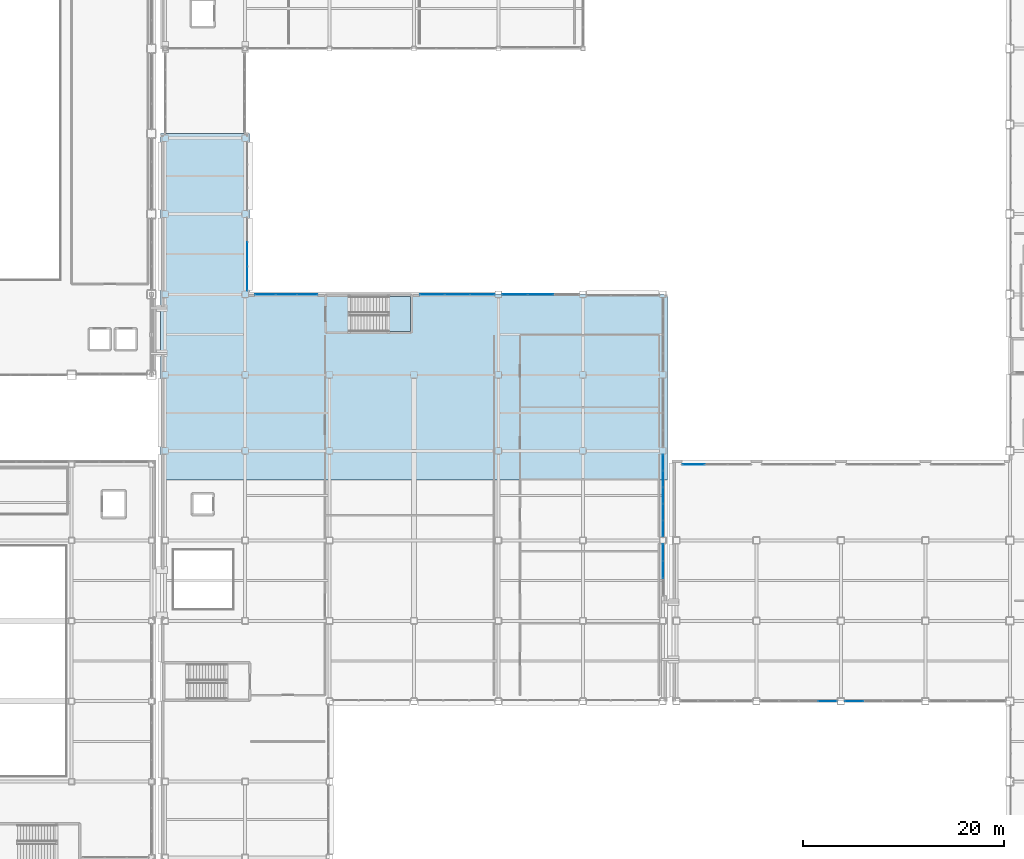
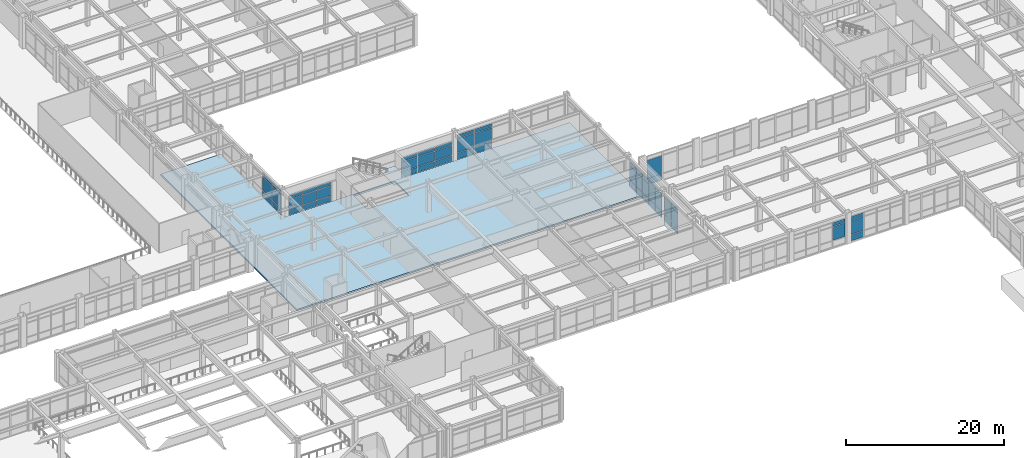
# One storey, part 128 of 172: 58 plates, 2 slabs, 10 elements without a shape of their own.
"""IFC4 building model written with IfcOpenShell, lengths in metres."""

from ifc_helpers import new_model, si_unit, direction, frame, origin, origin_2d, place, context, subcontext, project, spatial, polyline, rectangle, outline, extrude, material, layer, layer_set, type_object, element, aggregate, save


model = new_model("IFC4")

# Units and contexts
model_context = context("Model", 3, precision=1e-05, world=origin(), true_north=direction((0.0, 1.0)))
body_context = subcontext(model_context, "Body", "Model", "MODEL_VIEW")
ifc_project = project(units=[si_unit("LENGTHUNIT", "METRE"), si_unit("AREAUNIT", "SQUARE_METRE"), si_unit("VOLUMEUNIT", "CUBIC_METRE"), si_unit("PLANEANGLEUNIT", "RADIAN"), si_unit("MASSUNIT", "GRAM", prefix="KILO")], contexts=[model_context])

# Site, building, storey
site_placement = place(None, origin())
site = spatial("IfcSite", under=ifc_project, at=site_placement, CompositionType="ELEMENT")
building_placement = place(site_placement, origin())
building = spatial("IfcBuilding", under=site, at=building_placement, Name="Kazehara Bluff Congress Hotel", CompositionType="ELEMENT")
storey_placement = place(building_placement, frame((0.0, 0.0, 5.39990234375)))
storey = spatial("IfcBuildingStorey", under=building, at=storey_placement, Name="L01", CompositionType="ELEMENT", Elevation=5.39990234375)

# Curtain wall, plates
ifc_material_1 = material(Name="Anodised aluminium", Category="aluminium")
ifc_layer_1 = layer(ifc_material_1, 0.159912109375)
ifc_layer_set_1 = layer_set([ifc_layer_1], Name="Anodised aluminium")
curtain_wall_type_1 = type_object("IfcCurtainWallType", Name="TP-CW-53", PredefinedType="NOTDEFINED", material=ifc_layer_set_1)
curtain_wall_1_placement = place(storey_placement, origin())
curtain_wall_1 = element("IfcCurtainWall", 1, at=curtain_wall_1_placement, inside=storey, type_object=curtain_wall_type_1, Name="L01 curtain wall CW-53 CW-V4-L01-X10920-2650", PredefinedType="NOTDEFINED")
ifc_material_2 = material(Name="Insulated low-E double glazing", Category="glass")
ifc_layer_2 = layer(ifc_material_2, 0.028076171875)
ifc_layer_set_2 = layer_set([ifc_layer_2], Name="Insulated low-E double glazing")
plate_type_1 = type_object("IfcPlateType", Name="TP-CWP-01", PredefinedType="CURTAIN_PANEL", material=ifc_layer_set_2)
plate_1_placement = place(storey_placement, frame((109.199951171875, 29.08740234375, 0.06005859375), z_axis=(0.0, 0.0, 1.0), x_axis=(0.0, 1.0, 0.0)))
plate_1 = element("IfcPlate", 2, at=plate_1_placement, type_object=plate_type_1, Name="CW-53 panel 2.1", PredefinedType="CURTAIN_PANEL", context=body_context, shape_type="SweptSolid", body=[
    extrude(rectangle(XDim=1.6650390625, YDim=0.028076171875, at=origin_2d()), origin(), (0.0, 0.0, 1.0), 0.9599609375),
])
plate_2_placement = place(storey_placement, frame((109.199951171875, 29.08740234375, 1.080078125), z_axis=(0.0, 0.0, 1.0), x_axis=(0.0, 1.0, 0.0)))
plate_2 = element("IfcPlate", 3, at=plate_2_placement, type_object=plate_type_1, Name="CW-53 panel 2.2", PredefinedType="CURTAIN_PANEL", context=body_context, shape_type="SweptSolid", body=[
    extrude(rectangle(XDim=1.6650390625, YDim=0.028076171875, at=origin_2d()), origin(), (0.0, 0.0, 1.0), 2.114990234375),
])
plate_3_placement = place(storey_placement, frame((109.199951171875, 29.08740234375, 3.255126953125), z_axis=(0.0, 0.0, 1.0), x_axis=(0.0, 1.0, 0.0)))
plate_3 = element("IfcPlate", 4, at=plate_3_placement, type_object=plate_type_1, Name="CW-53 panel 2.3", PredefinedType="CURTAIN_PANEL", context=body_context, shape_type="SweptSolid", body=[
    extrude(rectangle(XDim=1.6650390625, YDim=0.028076171875, at=origin_2d()), origin(), (0.0, 0.0, 1.0), 0.56005859375),
])
plate_4_placement = place(storey_placement, frame((109.199951171875, 30.797607421875, 0.06005859375), z_axis=(0.0, 0.0, 1.0), x_axis=(0.0, 1.0, 0.0)))
plate_4 = element("IfcPlate", 5, at=plate_4_placement, type_object=plate_type_1, Name="CW-53 panel 3.1", PredefinedType="CURTAIN_PANEL", context=body_context, shape_type="SweptSolid", body=[
    extrude(rectangle(XDim=1.635009765625, YDim=0.028076171875, at=origin_2d()), origin(), (0.0, 0.0, 1.0), 0.9599609375),
])
plate_5_placement = place(storey_placement, frame((109.199951171875, 30.797607421875, 1.080078125), z_axis=(0.0, 0.0, 1.0), x_axis=(0.0, 1.0, 0.0)))
plate_5 = element("IfcPlate", 6, at=plate_5_placement, type_object=plate_type_1, Name="CW-53 panel 3.2", PredefinedType="CURTAIN_PANEL", context=body_context, shape_type="SweptSolid", body=[
    extrude(rectangle(XDim=1.635009765625, YDim=0.028076171875, at=origin_2d()), origin(), (0.0, 0.0, 1.0), 2.114990234375),
])
plate_6_placement = place(storey_placement, frame((109.199951171875, 30.797607421875, 3.255126953125), z_axis=(0.0, 0.0, 1.0), x_axis=(0.0, 1.0, 0.0)))
plate_6 = element("IfcPlate", 7, at=plate_6_placement, type_object=plate_type_1, Name="CW-53 panel 3.3", PredefinedType="CURTAIN_PANEL", context=body_context, shape_type="SweptSolid", body=[
    extrude(rectangle(XDim=1.635009765625, YDim=0.028076171875, at=origin_2d()), origin(), (0.0, 0.0, 1.0), 0.56005859375),
])
aggregate(curtain_wall_1, [plate_1, plate_2, plate_3, plate_4, plate_5, plate_6])

ifc_material_3 = material(Name="Anodised aluminium", Category="aluminium")
ifc_layer_3 = layer(ifc_material_3, 0.159912109375)
ifc_layer_set_3 = layer_set([ifc_layer_3], Name="Anodised aluminium")
curtain_wall_type_2 = type_object("IfcCurtainWallType", Name="TP-CW-54", PredefinedType="NOTDEFINED", material=ifc_layer_set_3)
curtain_wall_2_placement = place(storey_placement, origin())
curtain_wall_2 = element("IfcCurtainWall", 8, at=curtain_wall_2_placement, inside=storey, type_object=curtain_wall_type_2, Name="L01 curtain wall CW-54 CW-V4-L01-X10920-3233", PredefinedType="NOTDEFINED")
plate_7_placement = place(storey_placement, frame((109.199951171875, 33.166259765625, 0.06494140625), z_axis=(0.0, 0.0, 1.0), x_axis=(0.0, 1.0, 0.0)))
plate_7 = element("IfcPlate", 9, at=plate_7_placement, type_object=plate_type_1, Name="CW-54 panel 1.1", PredefinedType="CURTAIN_PANEL", context=body_context, shape_type="SweptSolid", body=[
    extrude(rectangle(XDim=1.552490234375, YDim=0.028076171875, at=origin_2d()), origin(), (0.0, 0.0, 1.0), 0.952392578125),
])
plate_8_placement = place(storey_placement, frame((109.199951171875, 33.166259765625, 1.08251953125), z_axis=(0.0, 0.0, 1.0), x_axis=(0.0, 1.0, 0.0)))
plate_8 = element("IfcPlate", 10, at=plate_8_placement, type_object=plate_type_1, Name="CW-54 panel 1.2", PredefinedType="CURTAIN_PANEL", context=body_context, shape_type="SweptSolid", body=[
    extrude(rectangle(XDim=1.552490234375, YDim=0.028076171875, at=origin_2d()), origin(), (0.0, 0.0, 1.0), 2.110107421875),
])
plate_9_placement = place(storey_placement, frame((109.199951171875, 33.166259765625, 3.2578125), z_axis=(0.0, 0.0, 1.0), x_axis=(0.0, 1.0, 0.0)))
plate_9 = element("IfcPlate", 11, at=plate_9_placement, type_object=plate_type_1, Name="CW-54 panel 1.3", PredefinedType="CURTAIN_PANEL", context=body_context, shape_type="SweptSolid", body=[
    extrude(rectangle(XDim=1.552490234375, YDim=0.028076171875, at=origin_2d()), origin(), (0.0, 0.0, 1.0), 0.552490234375),
])
plate_10_placement = place(storey_placement, frame((109.199951171875, 34.800048828125, 0.06494140625), z_axis=(0.0, 0.0, 1.0), x_axis=(0.0, 1.0, 0.0)))
plate_10 = element("IfcPlate", 12, at=plate_10_placement, type_object=plate_type_1, Name="CW-54 panel 2.1", PredefinedType="CURTAIN_PANEL", context=body_context, shape_type="SweptSolid", body=[
    extrude(rectangle(XDim=1.5849609375, YDim=0.028076171875, at=origin_2d()), origin(), (0.0, 0.0, 1.0), 0.952392578125),
])
plate_11_placement = place(storey_placement, frame((109.199951171875, 34.800048828125, 1.08251953125), z_axis=(0.0, 0.0, 1.0), x_axis=(0.0, 1.0, 0.0)))
plate_11 = element("IfcPlate", 13, at=plate_11_placement, type_object=plate_type_1, Name="CW-54 panel 2.2", PredefinedType="CURTAIN_PANEL", context=body_context, shape_type="SweptSolid", body=[
    extrude(rectangle(XDim=1.5849609375, YDim=0.028076171875, at=origin_2d()), origin(), (0.0, 0.0, 1.0), 2.110107421875),
])
plate_12_placement = place(storey_placement, frame((109.199951171875, 34.800048828125, 3.2578125), z_axis=(0.0, 0.0, 1.0), x_axis=(0.0, 1.0, 0.0)))
plate_12 = element("IfcPlate", 14, at=plate_12_placement, type_object=plate_type_1, Name="CW-54 panel 2.3", PredefinedType="CURTAIN_PANEL", context=body_context, shape_type="SweptSolid", body=[
    extrude(rectangle(XDim=1.5849609375, YDim=0.028076171875, at=origin_2d()), origin(), (0.0, 0.0, 1.0), 0.552490234375),
])
plate_13_placement = place(storey_placement, frame((109.199951171875, 36.449951171875, 0.06494140625), z_axis=(0.0, 0.0, 1.0), x_axis=(0.0, 1.0, 0.0)))
plate_13 = element("IfcPlate", 15, at=plate_13_placement, type_object=plate_type_1, Name="CW-54 panel 3.1", PredefinedType="CURTAIN_PANEL", context=body_context, shape_type="SweptSolid", body=[
    extrude(rectangle(XDim=1.5849609375, YDim=0.028076171875, at=origin_2d()), origin(), (0.0, 0.0, 1.0), 0.952392578125),
])
plate_14_placement = place(storey_placement, frame((109.199951171875, 36.449951171875, 1.08251953125), z_axis=(0.0, 0.0, 1.0), x_axis=(0.0, 1.0, 0.0)))
plate_14 = element("IfcPlate", 16, at=plate_14_placement, type_object=plate_type_1, Name="CW-54 panel 3.2", PredefinedType="CURTAIN_PANEL", context=body_context, shape_type="SweptSolid", body=[
    extrude(rectangle(XDim=1.5849609375, YDim=0.028076171875, at=origin_2d()), origin(), (0.0, 0.0, 1.0), 2.110107421875),
])
plate_15_placement = place(storey_placement, frame((109.199951171875, 36.449951171875, 3.2578125), z_axis=(0.0, 0.0, 1.0), x_axis=(0.0, 1.0, 0.0)))
plate_15 = element("IfcPlate", 17, at=plate_15_placement, type_object=plate_type_1, Name="CW-54 panel 3.3", PredefinedType="CURTAIN_PANEL", context=body_context, shape_type="SweptSolid", body=[
    extrude(rectangle(XDim=1.5849609375, YDim=0.028076171875, at=origin_2d()), origin(), (0.0, 0.0, 1.0), 0.552490234375),
])
plate_16_placement = place(storey_placement, frame((109.199951171875, 38.10009765625, 0.06494140625), z_axis=(0.0, 0.0, 1.0), x_axis=(0.0, 1.0, 0.0)))
plate_16 = element("IfcPlate", 18, at=plate_16_placement, type_object=plate_type_1, Name="CW-54 panel 4.1", PredefinedType="CURTAIN_PANEL", context=body_context, shape_type="SweptSolid", body=[
    extrude(rectangle(XDim=1.5849609375, YDim=0.028076171875, at=origin_2d()), origin(), (0.0, 0.0, 1.0), 0.952392578125),
])
plate_17_placement = place(storey_placement, frame((109.199951171875, 38.10009765625, 1.08251953125), z_axis=(0.0, 0.0, 1.0), x_axis=(0.0, 1.0, 0.0)))
plate_17 = element("IfcPlate", 19, at=plate_17_placement, type_object=plate_type_1, Name="CW-54 panel 4.2", PredefinedType="CURTAIN_PANEL", context=body_context, shape_type="SweptSolid", body=[
    extrude(rectangle(XDim=1.5849609375, YDim=0.028076171875, at=origin_2d()), origin(), (0.0, 0.0, 1.0), 2.110107421875),
])
plate_18_placement = place(storey_placement, frame((109.199951171875, 38.10009765625, 3.2578125), z_axis=(0.0, 0.0, 1.0), x_axis=(0.0, 1.0, 0.0)))
plate_18 = element("IfcPlate", 20, at=plate_18_placement, type_object=plate_type_1, Name="CW-54 panel 4.3", PredefinedType="CURTAIN_PANEL", context=body_context, shape_type="SweptSolid", body=[
    extrude(rectangle(XDim=1.5849609375, YDim=0.028076171875, at=origin_2d()), origin(), (0.0, 0.0, 1.0), 0.552490234375),
])
plate_19_placement = place(storey_placement, frame((109.199951171875, 39.733642578125, 0.06494140625), z_axis=(0.0, 0.0, 1.0), x_axis=(0.0, 1.0, 0.0)))
plate_19 = element("IfcPlate", 21, at=plate_19_placement, type_object=plate_type_1, Name="CW-54 panel 5.1", PredefinedType="CURTAIN_PANEL", context=body_context, shape_type="SweptSolid", body=[
    extrude(rectangle(XDim=1.552490234375, YDim=0.028076171875, at=origin_2d()), origin(), (0.0, 0.0, 1.0), 0.952392578125),
])
plate_20_placement = place(storey_placement, frame((109.199951171875, 39.733642578125, 1.08251953125), z_axis=(0.0, 0.0, 1.0), x_axis=(0.0, 1.0, 0.0)))
plate_20 = element("IfcPlate", 22, at=plate_20_placement, type_object=plate_type_1, Name="CW-54 panel 5.2", PredefinedType="CURTAIN_PANEL", context=body_context, shape_type="SweptSolid", body=[
    extrude(rectangle(XDim=1.552490234375, YDim=0.028076171875, at=origin_2d()), origin(), (0.0, 0.0, 1.0), 2.110107421875),
])
plate_21_placement = place(storey_placement, frame((109.199951171875, 39.733642578125, 3.2578125), z_axis=(0.0, 0.0, 1.0), x_axis=(0.0, 1.0, 0.0)))
plate_21 = element("IfcPlate", 23, at=plate_21_placement, type_object=plate_type_1, Name="CW-54 panel 5.3", PredefinedType="CURTAIN_PANEL", context=body_context, shape_type="SweptSolid", body=[
    extrude(rectangle(XDim=1.552490234375, YDim=0.028076171875, at=origin_2d()), origin(), (0.0, 0.0, 1.0), 0.552490234375),
])
aggregate(curtain_wall_2, [plate_7, plate_8, plate_9, plate_10, plate_11, plate_12, plate_13, plate_14, plate_15, plate_16, plate_17, plate_18, plate_19, plate_20, plate_21])

ifc_material_4 = material(Name="Anodised aluminium", Category="aluminium")
ifc_layer_4 = layer(ifc_material_4, 0.159912109375)
ifc_layer_set_4 = layer_set([ifc_layer_4], Name="Anodised aluminium")
curtain_wall_type_3 = type_object("IfcCurtainWallType", Name="TP-CW-70", PredefinedType="NOTDEFINED", material=ifc_layer_set_4)
curtain_wall_3_placement = place(storey_placement, origin())
curtain_wall_3 = element("IfcCurtainWall", 24, at=curtain_wall_3_placement, inside=storey, type_object=curtain_wall_type_3, Name="L01 curtain wall CW-70 CW-V4-L01-Y5645-6860", PredefinedType="NOTDEFINED")
plate_22_placement = place(storey_placement, frame((69.6650390625, 56.449951171875, 0.06005859375), z_axis=(0.0, 0.0, 1.0), x_axis=(1.0, 0.0, 0.0)))
plate_22 = element("IfcPlate", 25, at=plate_22_placement, type_object=plate_type_1, Name="CW-70 panel 1.1", PredefinedType="CURTAIN_PANEL", context=body_context, shape_type="SweptSolid", body=[
    extrude(rectangle(XDim=2.010009765625, YDim=0.028076171875, at=origin_2d()), origin(), (0.0, 0.0, 1.0), 0.85009765625),
])
plate_23_placement = place(storey_placement, frame((69.6650390625, 56.449951171875, 0.969970703125), z_axis=(0.0, 0.0, 1.0), x_axis=(1.0, 0.0, 0.0)))
plate_23 = element("IfcPlate", 26, at=plate_23_placement, type_object=plate_type_1, Name="CW-70 panel 1.2", PredefinedType="CURTAIN_PANEL", context=body_context, shape_type="SweptSolid", body=[
    extrude(rectangle(XDim=2.010009765625, YDim=0.028076171875, at=origin_2d()), origin(), (0.0, 0.0, 1.0), 1.47509765625),
])
plate_24_placement = place(storey_placement, frame((69.6650390625, 56.449951171875, 2.505126953125), z_axis=(0.0, 0.0, 1.0), x_axis=(1.0, 0.0, 0.0)))
plate_24 = element("IfcPlate", 27, at=plate_24_placement, type_object=plate_type_1, Name="CW-70 panel 1.3", PredefinedType="CURTAIN_PANEL", context=body_context, shape_type="SweptSolid", body=[
    extrude(rectangle(XDim=2.010009765625, YDim=0.028076171875, at=origin_2d()), origin(), (0.0, 0.0, 1.0), 0.56005859375),
])
plate_25_placement = place(storey_placement, frame((71.75, 56.449951171875, 0.06005859375), z_axis=(0.0, 0.0, 1.0), x_axis=(1.0, 0.0, 0.0)))
plate_25 = element("IfcPlate", 28, at=plate_25_placement, type_object=plate_type_1, Name="CW-70 panel 2.1", PredefinedType="CURTAIN_PANEL", context=body_context, shape_type="SweptSolid", body=[
    extrude(rectangle(XDim=2.0400390625, YDim=0.028076171875, at=origin_2d()), origin(), (0.0, 0.0, 1.0), 0.85009765625),
])
plate_26_placement = place(storey_placement, frame((71.75, 56.449951171875, 0.969970703125), z_axis=(0.0, 0.0, 1.0), x_axis=(1.0, 0.0, 0.0)))
plate_26 = element("IfcPlate", 29, at=plate_26_placement, type_object=plate_type_1, Name="CW-70 panel 2.2", PredefinedType="CURTAIN_PANEL", context=body_context, shape_type="SweptSolid", body=[
    extrude(rectangle(XDim=2.0400390625, YDim=0.028076171875, at=origin_2d()), origin(), (0.0, 0.0, 1.0), 1.47509765625),
])
plate_27_placement = place(storey_placement, frame((71.75, 56.449951171875, 2.505126953125), z_axis=(0.0, 0.0, 1.0), x_axis=(1.0, 0.0, 0.0)))
plate_27 = element("IfcPlate", 30, at=plate_27_placement, type_object=plate_type_1, Name="CW-70 panel 2.3", PredefinedType="CURTAIN_PANEL", context=body_context, shape_type="SweptSolid", body=[
    extrude(rectangle(XDim=2.0400390625, YDim=0.028076171875, at=origin_2d()), origin(), (0.0, 0.0, 1.0), 0.56005859375),
])
plate_28_placement = place(storey_placement, frame((73.8349609375, 56.449951171875, 0.06005859375), z_axis=(0.0, 0.0, 1.0), x_axis=(1.0, 0.0, 0.0)))
plate_28 = element("IfcPlate", 31, at=plate_28_placement, type_object=plate_type_1, Name="CW-70 panel 3.1", PredefinedType="CURTAIN_PANEL", context=body_context, shape_type="SweptSolid", body=[
    extrude(rectangle(XDim=2.010009765625, YDim=0.028076171875, at=origin_2d()), origin(), (0.0, 0.0, 1.0), 0.85009765625),
])
plate_29_placement = place(storey_placement, frame((73.8349609375, 56.449951171875, 0.969970703125), z_axis=(0.0, 0.0, 1.0), x_axis=(1.0, 0.0, 0.0)))
plate_29 = element("IfcPlate", 32, at=plate_29_placement, type_object=plate_type_1, Name="CW-70 panel 3.2", PredefinedType="CURTAIN_PANEL", context=body_context, shape_type="SweptSolid", body=[
    extrude(rectangle(XDim=2.010009765625, YDim=0.028076171875, at=origin_2d()), origin(), (0.0, 0.0, 1.0), 1.47509765625),
])
plate_30_placement = place(storey_placement, frame((73.8349609375, 56.449951171875, 2.505126953125), z_axis=(0.0, 0.0, 1.0), x_axis=(1.0, 0.0, 0.0)))
plate_30 = element("IfcPlate", 33, at=plate_30_placement, type_object=plate_type_1, Name="CW-70 panel 3.3", PredefinedType="CURTAIN_PANEL", context=body_context, shape_type="SweptSolid", body=[
    extrude(rectangle(XDim=2.010009765625, YDim=0.028076171875, at=origin_2d()), origin(), (0.0, 0.0, 1.0), 0.56005859375),
])
aggregate(curtain_wall_3, [plate_22, plate_23, plate_24, plate_25, plate_26, plate_27, plate_28, plate_29, plate_30])

ifc_material_5 = material(Name="Anodised aluminium", Category="aluminium")
ifc_layer_5 = layer(ifc_material_5, 0.159912109375)
ifc_layer_set_5 = layer_set([ifc_layer_5], Name="Anodised aluminium")
curtain_wall_type_4 = type_object("IfcCurtainWallType", Name="TP-CW-71", PredefinedType="NOTDEFINED", material=ifc_layer_set_5)
curtain_wall_4_placement = place(storey_placement, origin())
curtain_wall_4 = element("IfcCurtainWall", 34, at=curtain_wall_4_placement, inside=storey, type_object=curtain_wall_type_4, Name="L01 curtain wall CW-71 CW-V4-L01-Y5645-8500", PredefinedType="NOTDEFINED")
plate_31_placement = place(storey_placement, frame((86.2705078125, 56.449951171875, 0.06494140625), z_axis=(0.0, 0.0, 1.0), x_axis=(1.0, 0.0, 0.0)))
plate_31 = element("IfcPlate", 35, at=plate_31_placement, type_object=plate_type_1, Name="CW-71 panel 1.1", PredefinedType="CURTAIN_PANEL", context=body_context, shape_type="SweptSolid", body=[
    extrude(rectangle(XDim=2.410888671875, YDim=0.028076171875, at=origin_2d()), origin(), (0.0, 0.0, 1.0), 0.842529296875),
])
plate_32_placement = place(storey_placement, frame((86.2705078125, 56.449951171875, 0.97265625), z_axis=(0.0, 0.0, 1.0), x_axis=(1.0, 0.0, 0.0)))
plate_32 = element("IfcPlate", 36, at=plate_32_placement, type_object=plate_type_1, Name="CW-71 panel 1.2", PredefinedType="CURTAIN_PANEL", context=body_context, shape_type="SweptSolid", body=[
    extrude(rectangle(XDim=2.410888671875, YDim=0.028076171875, at=origin_2d()), origin(), (0.0, 0.0, 1.0), 1.469970703125),
])
plate_33_placement = place(storey_placement, frame((86.2705078125, 56.449951171875, 2.5078125), z_axis=(0.0, 0.0, 1.0), x_axis=(1.0, 0.0, 0.0)))
plate_33 = element("IfcPlate", 37, at=plate_33_placement, type_object=plate_type_1, Name="CW-71 panel 1.3", PredefinedType="CURTAIN_PANEL", context=body_context, shape_type="SweptSolid", body=[
    extrude(rectangle(XDim=2.410888671875, YDim=0.028076171875, at=origin_2d()), origin(), (0.0, 0.0, 1.0), 0.552490234375),
])
plate_34_placement = place(storey_placement, frame((88.762451171875, 56.449951171875, 0.06494140625), z_axis=(0.0, 0.0, 1.0), x_axis=(1.0, 0.0, 0.0)))
plate_34 = element("IfcPlate", 38, at=plate_34_placement, type_object=plate_type_1, Name="CW-71 panel 2.1", PredefinedType="CURTAIN_PANEL", context=body_context, shape_type="SweptSolid", body=[
    extrude(rectangle(XDim=2.443359375, YDim=0.028076171875, at=origin_2d()), origin(), (0.0, 0.0, 1.0), 0.842529296875),
])
plate_35_placement = place(storey_placement, frame((88.762451171875, 56.449951171875, 0.97265625), z_axis=(0.0, 0.0, 1.0), x_axis=(1.0, 0.0, 0.0)))
plate_35 = element("IfcPlate", 39, at=plate_35_placement, type_object=plate_type_1, Name="CW-71 panel 2.2", PredefinedType="CURTAIN_PANEL", context=body_context, shape_type="SweptSolid", body=[
    extrude(rectangle(XDim=2.443359375, YDim=0.028076171875, at=origin_2d()), origin(), (0.0, 0.0, 1.0), 1.469970703125),
])
plate_36_placement = place(storey_placement, frame((88.762451171875, 56.449951171875, 2.5078125), z_axis=(0.0, 0.0, 1.0), x_axis=(1.0, 0.0, 0.0)))
plate_36 = element("IfcPlate", 40, at=plate_36_placement, type_object=plate_type_1, Name="CW-71 panel 2.3", PredefinedType="CURTAIN_PANEL", context=body_context, shape_type="SweptSolid", body=[
    extrude(rectangle(XDim=2.443359375, YDim=0.028076171875, at=origin_2d()), origin(), (0.0, 0.0, 1.0), 0.552490234375),
])
plate_37_placement = place(storey_placement, frame((91.254638671875, 56.449951171875, 0.06494140625), z_axis=(0.0, 0.0, 1.0), x_axis=(1.0, 0.0, 0.0)))
plate_37 = element("IfcPlate", 41, at=plate_37_placement, type_object=plate_type_1, Name="CW-71 panel 3.1", PredefinedType="CURTAIN_PANEL", context=body_context, shape_type="SweptSolid", body=[
    extrude(rectangle(XDim=2.410888671875, YDim=0.028076171875, at=origin_2d()), origin(), (0.0, 0.0, 1.0), 0.842529296875),
])
plate_38_placement = place(storey_placement, frame((91.254638671875, 56.449951171875, 0.97265625), z_axis=(0.0, 0.0, 1.0), x_axis=(1.0, 0.0, 0.0)))
plate_38 = element("IfcPlate", 42, at=plate_38_placement, type_object=plate_type_1, Name="CW-71 panel 3.2", PredefinedType="CURTAIN_PANEL", context=body_context, shape_type="SweptSolid", body=[
    extrude(rectangle(XDim=2.410888671875, YDim=0.028076171875, at=origin_2d()), origin(), (0.0, 0.0, 1.0), 1.469970703125),
])
plate_39_placement = place(storey_placement, frame((91.254638671875, 56.449951171875, 2.5078125), z_axis=(0.0, 0.0, 1.0), x_axis=(1.0, 0.0, 0.0)))
plate_39 = element("IfcPlate", 43, at=plate_39_placement, type_object=plate_type_1, Name="CW-71 panel 3.3", PredefinedType="CURTAIN_PANEL", context=body_context, shape_type="SweptSolid", body=[
    extrude(rectangle(XDim=2.410888671875, YDim=0.028076171875, at=origin_2d()), origin(), (0.0, 0.0, 1.0), 0.552490234375),
])
aggregate(curtain_wall_4, [plate_31, plate_32, plate_33, plate_34, plate_35, plate_36, plate_37, plate_38, plate_39])

ifc_material_6 = material(Name="Anodised aluminium", Category="aluminium")
ifc_layer_6 = layer(ifc_material_6, 0.159912109375)
ifc_layer_set_6 = layer_set([ifc_layer_6], Name="Anodised aluminium")
curtain_wall_type_5 = type_object("IfcCurtainWallType", Name="TP-CW-24", PredefinedType="NOTDEFINED", material=ifc_layer_set_6)
curtain_wall_5_placement = place(storey_placement, origin())
curtain_wall_5 = element("IfcCurtainWall", 44, at=curtain_wall_5_placement, inside=storey, type_object=curtain_wall_type_5, Name="L01 curtain wall CW-24 CW-V4-L01-Y5645-9318", PredefinedType="NOTDEFINED")
plate_40_placement = place(storey_placement, frame((94.48291015625, 56.449951171875, 0.06494140625), z_axis=(0.0, 0.0, 1.0), x_axis=(1.0, 0.0, 0.0)))
plate_40 = element("IfcPlate", 45, at=plate_40_placement, type_object=plate_type_1, Name="CW-24 panel 1.1", PredefinedType="CURTAIN_PANEL", context=body_context, shape_type="SweptSolid", body=[
    extrude(rectangle(XDim=2.48583984375, YDim=0.028076171875, at=origin_2d()), origin(), (0.0, 0.0, 1.0), 0.952392578125),
])
plate_41_placement = place(storey_placement, frame((94.48291015625, 56.449951171875, 1.08251953125), z_axis=(0.0, 0.0, 1.0), x_axis=(1.0, 0.0, 0.0)))
plate_41 = element("IfcPlate", 46, at=plate_41_placement, type_object=plate_type_1, Name="CW-24 panel 1.2", PredefinedType="CURTAIN_PANEL", context=body_context, shape_type="SweptSolid", body=[
    extrude(rectangle(XDim=2.48583984375, YDim=0.028076171875, at=origin_2d()), origin(), (0.0, 0.0, 1.0), 2.110107421875),
])
plate_42_placement = place(storey_placement, frame((94.48291015625, 56.449951171875, 3.2578125), z_axis=(0.0, 0.0, 1.0), x_axis=(1.0, 0.0, 0.0)))
plate_42 = element("IfcPlate", 47, at=plate_42_placement, type_object=plate_type_1, Name="CW-24 panel 1.3", PredefinedType="CURTAIN_PANEL", context=body_context, shape_type="SweptSolid", body=[
    extrude(rectangle(XDim=2.48583984375, YDim=0.028076171875, at=origin_2d()), origin(), (0.0, 0.0, 1.0), 0.552490234375),
])
plate_43_placement = place(storey_placement, frame((97.050048828125, 56.449951171875, 0.06494140625), z_axis=(0.0, 0.0, 1.0), x_axis=(1.0, 0.0, 0.0)))
plate_43 = element("IfcPlate", 48, at=plate_43_placement, type_object=plate_type_1, Name="CW-24 panel 2.1", PredefinedType="CURTAIN_PANEL", context=body_context, shape_type="SweptSolid", body=[
    extrude(rectangle(XDim=2.518310546875, YDim=0.028076171875, at=origin_2d()), origin(), (0.0, 0.0, 1.0), 0.952392578125),
])
plate_44_placement = place(storey_placement, frame((97.050048828125, 56.449951171875, 1.08251953125), z_axis=(0.0, 0.0, 1.0), x_axis=(1.0, 0.0, 0.0)))
plate_44 = element("IfcPlate", 49, at=plate_44_placement, type_object=plate_type_1, Name="CW-24 panel 2.2", PredefinedType="CURTAIN_PANEL", context=body_context, shape_type="SweptSolid", body=[
    extrude(rectangle(XDim=2.518310546875, YDim=0.028076171875, at=origin_2d()), origin(), (0.0, 0.0, 1.0), 2.110107421875),
])
plate_45_placement = place(storey_placement, frame((97.050048828125, 56.449951171875, 3.2578125), z_axis=(0.0, 0.0, 1.0), x_axis=(1.0, 0.0, 0.0)))
plate_45 = element("IfcPlate", 50, at=plate_45_placement, type_object=plate_type_1, Name="CW-24 panel 2.3", PredefinedType="CURTAIN_PANEL", context=body_context, shape_type="SweptSolid", body=[
    extrude(rectangle(XDim=2.518310546875, YDim=0.028076171875, at=origin_2d()), origin(), (0.0, 0.0, 1.0), 0.552490234375),
])
aggregate(curtain_wall_5, [plate_40, plate_41, plate_42, plate_43, plate_44, plate_45])

ifc_material_7 = material(Name="Anodised aluminium", Category="aluminium")
ifc_layer_7 = layer(ifc_material_7, 0.159912109375)
ifc_layer_set_7 = layer_set([ifc_layer_7], Name="Anodised aluminium")
curtain_wall_type_6 = type_object("IfcCurtainWallType", Name="TP-CW-79", PredefinedType="NOTDEFINED", material=ifc_layer_set_7)
curtain_wall_6_placement = place(storey_placement, origin())
curtain_wall_6 = element("IfcCurtainWall", 51, at=curtain_wall_6_placement, inside=storey, type_object=curtain_wall_type_6, Name="L01 curtain wall CW-79 CW-V5-L01-Y1600-11885", PredefinedType="NOTDEFINED")
plate_46_placement = place(storey_placement, frame((125.5712890625, 16.0, 1.08251953125), z_axis=(0.0, 0.0, 1.0), x_axis=(1.0, 0.0, 0.0)))
plate_46 = element("IfcPlate", 52, at=plate_46_placement, type_object=plate_type_1, Name="CW-79 panel 4.2", PredefinedType="CURTAIN_PANEL", context=body_context, shape_type="SweptSolid", body=[
    extrude(rectangle(XDim=1.827392578125, YDim=0.028076171875, at=origin_2d()), origin(), (0.0, 0.0, 1.0), 2.110107421875),
])
plate_47_placement = place(storey_placement, frame((125.5712890625, 16.0, 3.2578125), z_axis=(0.0, 0.0, 1.0), x_axis=(1.0, 0.0, 0.0)))
plate_47 = element("IfcPlate", 53, at=plate_47_placement, type_object=plate_type_1, Name="CW-79 panel 4.3", PredefinedType="CURTAIN_PANEL", context=body_context, shape_type="SweptSolid", body=[
    extrude(rectangle(XDim=1.827392578125, YDim=0.028076171875, at=origin_2d()), origin(), (0.0, 0.0, 1.0), 0.552490234375),
])
aggregate(curtain_wall_6, [plate_46, plate_47])

curtain_wall_7_placement = place(storey_placement, origin())
curtain_wall_7 = element("IfcCurtainWall", 54, at=curtain_wall_7_placement, inside=storey, type_object=curtain_wall_type_6, Name="L01 curtain wall CW-79 CW-V5-L01-Y1600-12725", PredefinedType="NOTDEFINED")
plate_48_placement = place(storey_placement, frame((128.228759765625, 16.0, 0.06494140625), z_axis=(0.0, 0.0, 1.0), x_axis=(1.0, 0.0, 0.0)))
plate_48 = element("IfcPlate", 55, at=plate_48_placement, type_object=plate_type_1, Name="CW-79 panel 1.1", PredefinedType="CURTAIN_PANEL", context=body_context, shape_type="SweptSolid", body=[
    extrude(rectangle(XDim=1.827392578125, YDim=0.028076171875, at=origin_2d()), origin(), (0.0, 0.0, 1.0), 0.952392578125),
])
plate_49_placement = place(storey_placement, frame((128.228759765625, 16.0, 1.08251953125), z_axis=(0.0, 0.0, 1.0), x_axis=(1.0, 0.0, 0.0)))
plate_49 = element("IfcPlate", 56, at=plate_49_placement, type_object=plate_type_1, Name="CW-79 panel 1.2", PredefinedType="CURTAIN_PANEL", context=body_context, shape_type="SweptSolid", body=[
    extrude(rectangle(XDim=1.827392578125, YDim=0.028076171875, at=origin_2d()), origin(), (0.0, 0.0, 1.0), 2.110107421875),
])
plate_50_placement = place(storey_placement, frame((128.228759765625, 16.0, 3.2578125), z_axis=(0.0, 0.0, 1.0), x_axis=(1.0, 0.0, 0.0)))
plate_50 = element("IfcPlate", 57, at=plate_50_placement, type_object=plate_type_1, Name="CW-79 panel 1.3", PredefinedType="CURTAIN_PANEL", context=body_context, shape_type="SweptSolid", body=[
    extrude(rectangle(XDim=1.827392578125, YDim=0.028076171875, at=origin_2d()), origin(), (0.0, 0.0, 1.0), 0.552490234375),
])
aggregate(curtain_wall_7, [plate_48, plate_49, plate_50])

ifc_material_8 = material(Name="Anodised aluminium", Category="aluminium")
ifc_layer_8 = layer(ifc_material_8, 0.159912109375)
ifc_layer_set_8 = layer_set([ifc_layer_8], Name="Anodised aluminium")
curtain_wall_type_7 = type_object("IfcCurtainWallType", Name="TP-CW-56", PredefinedType="NOTDEFINED", material=ifc_layer_set_8)
curtain_wall_8_placement = place(storey_placement, origin())
curtain_wall_8 = element("IfcCurtainWall", 58, at=curtain_wall_8_placement, inside=storey, type_object=curtain_wall_type_7, Name="L01 curtain wall CW-56 CW-ENC-V4-L01-6788-6045", PredefinedType="NOTDEFINED")
plate_51_placement = place(storey_placement, frame((67.8798828125, 60.449951171875, 0.06494140625), z_axis=(0.0, 0.0, 1.0), x_axis=(0.0, -1.0, 0.0)))
plate_51 = element("IfcPlate", 59, at=plate_51_placement, type_object=plate_type_1, Name="CW-56 panel 2.1", PredefinedType="CURTAIN_PANEL", context=body_context, shape_type="SweptSolid", body=[
    extrude(rectangle(XDim=2.385009765625, YDim=0.028076171875, at=origin_2d()), origin(), (0.0, 0.0, 1.0), 0.952392578125),
])
plate_52_placement = place(storey_placement, frame((67.8798828125, 60.449951171875, 1.08251953125), z_axis=(0.0, 0.0, 1.0), x_axis=(0.0, -1.0, 0.0)))
plate_52 = element("IfcPlate", 60, at=plate_52_placement, type_object=plate_type_1, Name="CW-56 panel 2.2", PredefinedType="CURTAIN_PANEL", context=body_context, shape_type="SweptSolid", body=[
    extrude(rectangle(XDim=2.385009765625, YDim=0.028076171875, at=origin_2d()), origin(), (0.0, 0.0, 1.0), 2.110107421875),
])
plate_53_placement = place(storey_placement, frame((67.8798828125, 60.449951171875, 3.2578125), z_axis=(0.0, 0.0, 1.0), x_axis=(0.0, -1.0, 0.0)))
plate_53 = element("IfcPlate", 61, at=plate_53_placement, type_object=plate_type_1, Name="CW-56 panel 2.3", PredefinedType="CURTAIN_PANEL", context=body_context, shape_type="SweptSolid", body=[
    extrude(rectangle(XDim=2.385009765625, YDim=0.028076171875, at=origin_2d()), origin(), (0.0, 0.0, 1.0), 0.552490234375),
])
plate_54_placement = place(storey_placement, frame((67.8798828125, 58.016357421875, 0.06494140625), z_axis=(0.0, 0.0, 1.0), x_axis=(0.0, -1.0, 0.0)))
plate_54 = element("IfcPlate", 62, at=plate_54_placement, type_object=plate_type_1, Name="CW-56 panel 3.1", PredefinedType="CURTAIN_PANEL", context=body_context, shape_type="SweptSolid", body=[
    extrude(rectangle(XDim=2.3525390625, YDim=0.028076171875, at=origin_2d()), origin(), (0.0, 0.0, 1.0), 0.952392578125),
])
plate_55_placement = place(storey_placement, frame((67.8798828125, 58.016357421875, 1.08251953125), z_axis=(0.0, 0.0, 1.0), x_axis=(0.0, -1.0, 0.0)))
plate_55 = element("IfcPlate", 63, at=plate_55_placement, type_object=plate_type_1, Name="CW-56 panel 3.2", PredefinedType="CURTAIN_PANEL", context=body_context, shape_type="SweptSolid", body=[
    extrude(rectangle(XDim=2.3525390625, YDim=0.028076171875, at=origin_2d()), origin(), (0.0, 0.0, 1.0), 2.110107421875),
])
plate_56_placement = place(storey_placement, frame((67.8798828125, 58.016357421875, 3.2578125), z_axis=(0.0, 0.0, 1.0), x_axis=(0.0, -1.0, 0.0)))
plate_56 = element("IfcPlate", 64, at=plate_56_placement, type_object=plate_type_1, Name="CW-56 panel 3.3", PredefinedType="CURTAIN_PANEL", context=body_context, shape_type="SweptSolid", body=[
    extrude(rectangle(XDim=2.3525390625, YDim=0.028076171875, at=origin_2d()), origin(), (0.0, 0.0, 1.0), 0.552490234375),
])
aggregate(curtain_wall_8, [plate_51, plate_52, plate_53, plate_54, plate_55, plate_56])

ifc_material_9 = material(Name="Anodised aluminium", Category="aluminium")
ifc_layer_9 = layer(ifc_material_9, 0.159912109375)
ifc_layer_set_9 = layer_set([ifc_layer_9], Name="Anodised aluminium")
curtain_wall_type_8 = type_object("IfcCurtainWallType", Name="TP-CW-82", PredefinedType="NOTDEFINED", material=ifc_layer_set_9)
curtain_wall_9_placement = place(storey_placement, origin())
curtain_wall_9 = element("IfcCurtainWall", 65, at=curtain_wall_9_placement, inside=storey, type_object=curtain_wall_type_8, Name="L01 curtain wall CW-82 CW-V5-L01-Y3955-11110", PredefinedType="NOTDEFINED")
ifc_material_10 = material(Name="Insulated low-E double glazing", Category="glass")
ifc_layer_10 = layer(ifc_material_10, 0.031982421875)
ifc_layer_set_10 = layer_set([ifc_layer_10], Name="Insulated low-E double glazing")
plate_type_2 = type_object("IfcPlateType", Name="TP-CWP-02", PredefinedType="CURTAIN_PANEL", material=ifc_layer_set_10)
plate_57_placement = place(storey_placement, frame((112.25927734375, 39.550048828125, 0.06494140625), z_axis=(0.0, 0.0, 1.0), x_axis=(1.0, 0.0, 0.0)))
plate_57 = element("IfcPlate", 66, at=plate_57_placement, type_object=plate_type_2, Name="CW-82 panel 1.1", PredefinedType="CURTAIN_PANEL", context=body_context, shape_type="SweptSolid", body=[
    extrude(rectangle(XDim=2.17822265625, YDim=0.031982421875, at=origin_2d()), origin(), (0.0, 0.0, 1.0), 0.952392578125),
])
plate_58_placement = place(storey_placement, frame((112.25927734375, 39.550048828125, 1.08251953125), z_axis=(0.0, 0.0, 1.0), x_axis=(1.0, 0.0, 0.0)))
plate_58 = element("IfcPlate", 67, at=plate_58_placement, type_object=plate_type_2, Name="CW-82 panel 1.2", PredefinedType="CURTAIN_PANEL", context=body_context, shape_type="SweptSolid", body=[
    extrude(rectangle(XDim=2.17822265625, YDim=0.031982421875, at=origin_2d()), origin(), (0.0, 0.0, 1.0), 2.77001953125),
])
aggregate(curtain_wall_9, [plate_57, plate_58])

# Slab
ifc_material_11 = material(Name="Concrete C36/45", Category="concrete")
ifc_layer_11 = layer(ifc_material_11, 0.25)
ifc_layer_set_11 = layer_set([ifc_layer_11], Name="Concrete C36/45")
slab_type_1 = type_object("IfcSlabType", Name="TP-SL-250", PredefinedType="FLOOR", material=ifc_layer_set_11)
slab_1_placement = place(storey_placement, frame((0.0, 0.0, -0.25)))
element("IfcSlab", 68, at=slab_1_placement, inside=storey, type_object=slab_type_1, Name="L01 V4 composite floor slab N", PredefinedType="FLOOR", context=body_context, shape_type="SweptSolid", body=[
    extrude(outline(polyline([(59.25, 72.449951171875), (68.10009765625, 72.449951171875), (68.10009765625, 56.449951171875), (109.64990234375, 56.449951171875), (109.64990234375, 38.0), (59.25, 38.0), (59.25, 72.449951171875)]), holes=[polyline([(78.02490234375, 52.75), (84.10009765625, 52.75), (84.10009765625, 56.25), (78.02490234375, 56.25), (78.02490234375, 52.75)])]), origin(), (0.0, 0.0, 1.0), 0.25),
])

# Stair, slab
ifc_material_12 = material(Name="Concrete C36/45", Category="concrete")
stair_type = type_object("IfcStairType", Name="TP-ST-T02", PredefinedType="HALF_TURN_STAIR", material=ifc_material_12)
stair_placement = place(storey_placement, origin())
stair = element("IfcStair", 69, at=stair_placement, inside=storey, type_object=stair_type, Name="L01 Escape stair ST-09", PredefinedType="HALF_TURN_STAIR")
ifc_material_13 = material(Name="Concrete C36/45", Category="concrete")
ifc_layer_12 = layer(ifc_material_13, 0.199951171875)
ifc_layer_set_12 = layer_set([ifc_layer_12], Name="Concrete C36/45")
slab_type_2 = type_object("IfcSlabType", Name="TP-SLD-200", PredefinedType="LANDING", material=ifc_layer_set_12)
slab_2_placement = place(storey_placement, frame((0.0, 0.0, 2.2001953125)))
slab_2 = element("IfcSlab", 70, at=slab_2_placement, type_object=slab_type_2, Name="ST-09 landing 1", PredefinedType="LANDING", context=body_context, shape_type="SweptSolid", body=[
    extrude(outline(polyline([(81.89990234375, 52.75), (84.10009765625, 52.75), (84.10009765625, 56.25), (81.89990234375, 56.25), (81.89990234375, 52.75)])), origin(), (0.0, 0.0, 1.0), 0.199951171875),
])
aggregate(stair, [slab_2])

save(model, "model.ifc")
